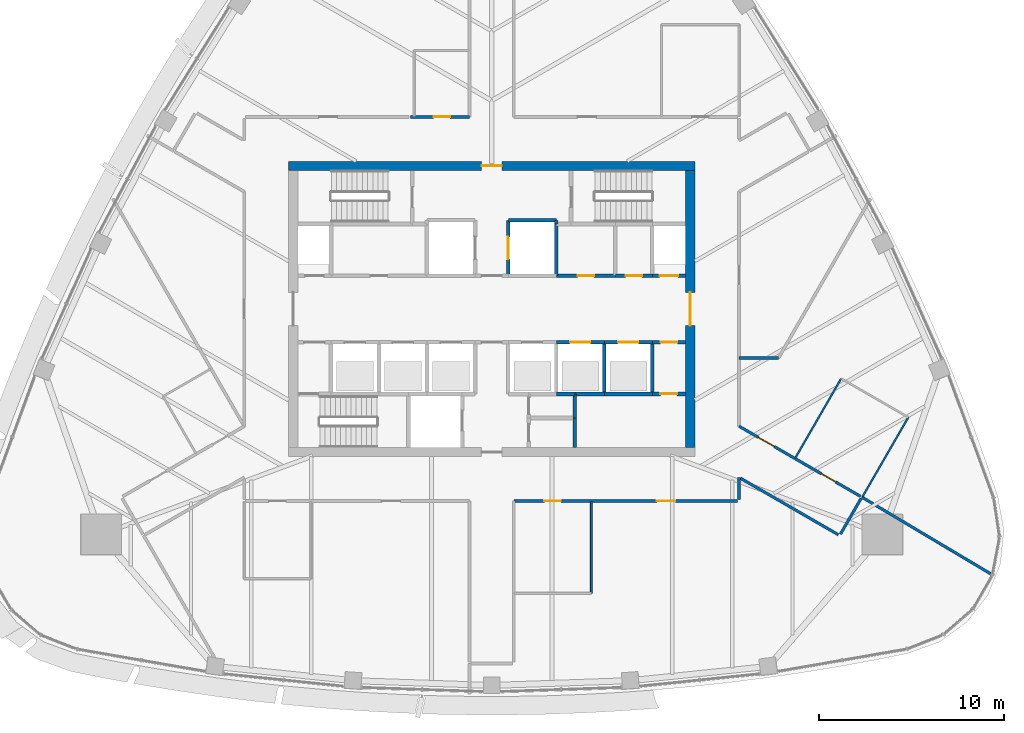
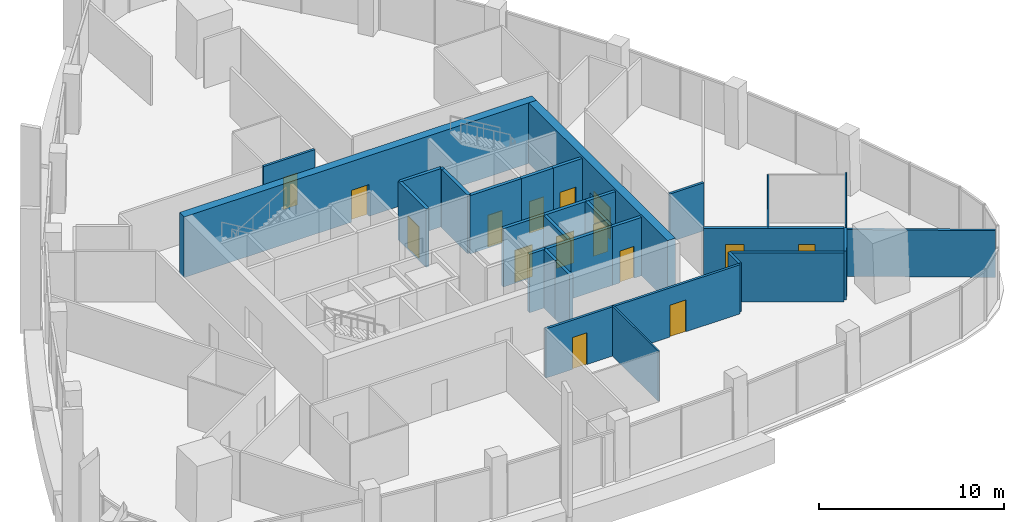
# One storey, part 10 of 16: 31 walls, 15 doors, 15 openings.
"""IFC4 building model written with IfcOpenShell, lengths in metres."""

import ifcopenshell
import ifcopenshell.guid

model = None  # the IFC model being written
_history = None  # IfcOwnerHistory: only IFC2X3 demands one
_inside = {}  # id of a spatial element -> (the spatial element, [elements in it])
_under = {}  # id of a project, library or spatial element -> (it, [spatial elements below it])
_declared = {}  # id of a project -> (the project, [libraries it declares])
_typed = {}  # id of a type object -> (the type object, [elements of that type])
_made_of = {}  # id of a material, layer set ... -> (it, [elements and type objects made of it])


def new_model(schema):
    """Start an empty IFC model of exactly this schema.

    Asked for "IFC4X3", IfcOpenShell would pick the latest addendum, in which some entities
    have other attributes; the version numbers below select the first issue.
    IFC2X3 requires an IfcOwnerHistory on every rooted entity: one is made here for all.
    """
    global model, _history
    if schema == "IFC4X3":
        model = ifcopenshell.file(schema_version=(4, 3, 0, 0))
    else:
        model = ifcopenshell.file(schema=schema)
    _inside.clear()
    _under.clear()
    _declared.clear()
    _typed.clear()
    _made_of.clear()
    _history = None
    if model.schema == "IFC2X3":
        org = make("IfcOrganization", Name="unknown")
        user = make(
            "IfcPersonAndOrganization",
            ThePerson=make("IfcPerson", FamilyName="unknown"),
            TheOrganization=org,
        )
        app = make(
            "IfcApplication",
            ApplicationDeveloper=org,
            Version="unknown",
            ApplicationFullName="unknown",
            ApplicationIdentifier="unknown",
        )
        _history = make(
            "IfcOwnerHistory",
            OwningUser=user,
            OwningApplication=app,
            ChangeAction="ADDED",
            CreationDate=0,
        )
    return model


def make(cls, **values):
    """One entity of the class cls with the attributes given. An attribute that is None is left unset."""
    return model.create_entity(
        cls, **{name: value for name, value in values.items() if value is not None}
    )


def rooted(cls, **values):
    """An entity with a GlobalId (a new one), such as an element, a storey or a relation."""
    return make(cls, GlobalId=ifcopenshell.guid.new(), OwnerHistory=_history, **values)


def si_unit(unit_type, name, prefix=None):
    """IfcSIUnit, for example si_unit("LENGTHUNIT", "METRE", prefix="MILLI")."""
    return make("IfcSIUnit", UnitType=unit_type, Prefix=prefix, Name=name)


def assignment(units):
    """IfcUnitAssignment: the units of a project."""
    return None if units is None else make("IfcUnitAssignment", Units=units)


def point(xyz):
    """IfcCartesianPoint."""
    return None if xyz is None else make("IfcCartesianPoint", Coordinates=xyz)


def direction(xyz):
    """IfcDirection."""
    return None if xyz is None else make("IfcDirection", DirectionRatios=xyz)


def frame(location, z_axis=None, x_axis=None):
    """IfcAxis2Placement3D, a coordinate frame: its origin and axes. An axis left out is left unset."""
    return make(
        "IfcAxis2Placement3D",
        Location=point(location),
        Axis=direction(z_axis),
        RefDirection=direction(x_axis),
    )


def frame_2d(location, x_axis=None):
    """IfcAxis2Placement2D, a coordinate frame in the plane: its origin and x axis."""
    return make(
        "IfcAxis2Placement2D", Location=point(location), RefDirection=direction(x_axis)
    )


def origin():
    """The frame at (0, 0, 0) with its axes left unset."""
    return frame((0.0, 0.0, 0.0))


def place(relative_to, where):
    """IfcLocalPlacement: puts the frame where relative to a parent placement (None: the world)."""
    return make(
        "IfcLocalPlacement", PlacementRelTo=relative_to, RelativePlacement=where
    )


def context(
    kind, dimensions, precision=None, world=None, true_north=None, identifier=None
):
    """IfcGeometricRepresentationContext, for example the 3D "Model" context."""
    return make(
        "IfcGeometricRepresentationContext",
        ContextIdentifier=identifier,
        ContextType=kind,
        CoordinateSpaceDimension=dimensions,
        Precision=precision,
        WorldCoordinateSystem=world,
        TrueNorth=true_north,
    )


def subcontext(parent, identifier, kind, view, scale=None):
    """IfcGeometricRepresentationSubContext, for example "Body" below "Model"."""
    return make(
        "IfcGeometricRepresentationSubContext",
        ContextIdentifier=identifier,
        ContextType=kind,
        ParentContext=parent,
        TargetScale=scale,
        TargetView=view,
    )


def project(units=None, contexts=None):
    """IfcProject with its units and contexts."""
    return rooted(
        "IfcProject",
        Name="project",
        RepresentationContexts=contexts,
        UnitsInContext=assignment(units),
    )


def spatial(cls, under=None, at=None, **own):
    """A site, building, storey or space (cls), placed at a placement, below another one or the project."""
    s = rooted(cls, ObjectPlacement=at, **own)
    if under is not None:
        _under.setdefault(under.id(), (under, []))[1].append(s)
    return s


def profile(cls, at=None, kind="AREA", **sizes):
    """A parametric profile (cls). Its sizes go by their IFC names, for example OverallWidth=200.0."""
    return make(cls, ProfileType=kind, Position=at, **sizes)


def rectangle(**sizes):
    """IfcRectangleProfileDef."""
    return profile("IfcRectangleProfileDef", **sizes)


def extrude(swept, where, along, depth):
    """IfcExtrudedAreaSolid: the profile swept, set in the frame where, extruded along a direction by depth."""
    return make(
        "IfcExtrudedAreaSolid",
        SweptArea=swept,
        Position=where,
        ExtrudedDirection=direction(along),
        Depth=depth,
    )


def shape(context_of_items, identifier, shape_type, items):
    """IfcShapeRepresentation: the items that make up one representation, for example the "Body"."""
    return make(
        "IfcShapeRepresentation",
        ContextOfItems=context_of_items,
        RepresentationIdentifier=identifier,
        RepresentationType=shape_type,
        Items=items,
    )


def material(Name=None, Category=None):
    """IfcMaterial."""
    return make("IfcMaterial", Name=Name, Category=Category)


def layer(
    of_material, thickness, ventilated=None, Name=None, Category=None, Priority=None
):
    """IfcMaterialLayer: one layer of a wall or slab, of a material (None: an air gap)."""
    return make(
        "IfcMaterialLayer",
        Material=of_material,
        LayerThickness=thickness,
        IsVentilated=ventilated,
        Name=Name,
        Category=Category,
        Priority=Priority,
    )


def layer_set(layers, Name=None):
    """IfcMaterialLayerSet."""
    return make("IfcMaterialLayerSet", MaterialLayers=layers, LayerSetName=Name)


def made_of(thing, what):
    """Note that an element or type object is made of a material, layer set ...; save() writes the relation."""
    if what is not None:
        _made_of.setdefault(what.id(), (what, []))[1].append(thing)
    return thing


def type_object(cls, material=None, **own):
    """A type object (cls), such as IfcWallType, which elements share."""
    return made_of(rooted(cls, **own), material)


def element(
    cls,
    number,
    at=None,
    inside=None,
    cuts=None,
    type_object=None,
    material=None,
    context=None,
    identifier="Body",
    shape_type=None,
    held_by="IfcProductDefinitionShape",
    body=None,
    shapes=None,
    **own,
):
    """One element of the class cls, such as IfcWall. Its Tag is "e" and its number.

    at: its placement. inside: the storey or other place that contains it. cuts: it is an
    opening in that element (IfcRelVoidsElement). A single representation is given by context,
    identifier, shape_type and body (its items); several are given by shapes. held_by: the class
    of the entity that holds the representations. save() writes the other relations.
    """
    e = rooted(cls, Tag="e%d" % number, ObjectPlacement=at, **own)
    if body is not None:
        shapes = [shape(context, identifier, shape_type, body)]
    if shapes is not None:
        e.Representation = make(held_by, Representations=shapes)
    if inside is not None:
        _inside.setdefault(inside.id(), (inside, []))[1].append(e)
    if cuts is not None:
        rooted(
            "IfcRelVoidsElement", RelatingBuildingElement=cuts, RelatedOpeningElement=e
        )
    if type_object is not None:
        _typed.setdefault(type_object.id(), (type_object, []))[1].append(e)
    return made_of(e, material)


def fill(opening, filler):
    """IfcRelFillsElement: the door or window that sits in an opening."""
    return rooted(
        "IfcRelFillsElement",
        RelatingOpeningElement=opening,
        RelatedBuildingElement=filler,
    )


def aggregate(whole, parts):
    """IfcRelAggregates: a whole, such as a stair, and the parts it consists of."""
    return rooted("IfcRelAggregates", RelatingObject=whole, RelatedObjects=parts)


def save(model, path):
    """Write the relations noted so far, then the file.

    IfcRelAggregates (storeys below a building ...), IfcRelContainedInSpatialStructure (elements
    in a storey), IfcRelDefinesByType, IfcRelAssociatesMaterial and IfcRelDeclares: one each for
    every whole, place, type object, material and project.
    """
    for whole, parts in _under.values():
        aggregate(whole, parts)
    for where, things in _inside.values():
        rooted(
            "IfcRelContainedInSpatialStructure",
            RelatedElements=things,
            RelatingStructure=where,
        )
    for kind, things in _typed.values():
        rooted("IfcRelDefinesByType", RelatedObjects=things, RelatingType=kind)
    for what, things in _made_of.values():
        rooted("IfcRelAssociatesMaterial", RelatedObjects=things, RelatingMaterial=what)
    for by, libraries in _declared.values():
        rooted("IfcRelDeclares", RelatingContext=by, RelatedDefinitions=libraries)
    model.write(path)


model = new_model("IFC4")

# Units and contexts
model_context = context("Model", 3, precision=1e-05, world=origin(), true_north=direction((0.0, 1.0)))
body_context = subcontext(model_context, "Body", "Model", "MODEL_VIEW")
ifc_project = project(units=[si_unit("LENGTHUNIT", "METRE"), si_unit("AREAUNIT", "SQUARE_METRE"), si_unit("VOLUMEUNIT", "CUBIC_METRE"), si_unit("PLANEANGLEUNIT", "RADIAN"), si_unit("MASSUNIT", "GRAM", prefix="KILO")], contexts=[model_context])

# Site, building, storey
site_placement = place(None, origin())
site = spatial("IfcSite", under=ifc_project, at=site_placement, CompositionType="ELEMENT")
building_placement = place(site_placement, origin())
building = spatial("IfcBuilding", under=site, at=building_placement, Name="Sierra Prisma Convention Tower", CompositionType="ELEMENT")
storey_placement = place(building_placement, frame((0.0, 0.0, 271.0)))
storey = spatial("IfcBuildingStorey", under=building, at=storey_placement, Name="L61", CompositionType="ELEMENT", Elevation=271.0)

# Walls
ifc_material_1 = material(Name="Gypsum board partition", Category="gypsum")
ifc_layer_1 = layer(ifc_material_1, 0.10009765625)
ifc_layer_set_1 = layer_set([ifc_layer_1], Name="Bathroom partition 100")
wall_type_1 = type_object("IfcWallType", Name="Bathroom partition 100", PredefinedType="PARTITIONING", material=ifc_layer_set_1)
wall_1_placement = place(storey_placement, frame((5.39990234375, -10.429931640625, 0.0), z_axis=(0.0, 0.0, 1.0), x_axis=(0.0, -1.0, 0.0)))
element("IfcWall", 1, at=wall_1_placement, inside=storey, type_object=wall_type_1, Name="Partition L61 bath 8", PredefinedType="PARTITIONING", context=body_context, shape_type="SweptSolid", body=[
    extrude(rectangle(XDim=4.969970703125, YDim=0.10009765625, at=frame_2d((2.48486328125, 0.0))), origin(), (0.0, 0.0, 1.0), 3.300048828125),
])
wall_2_placement = place(storey_placement, frame((16.44091796875, -8.07177734375, 0.0), z_axis=(0.0, 0.0, 1.0), x_axis=(0.499974753747, 0.866039979225, 0.0)))
element("IfcWall", 2, at=wall_2_placement, inside=storey, type_object=wall_type_1, Name="Partition L61 bath 13", PredefinedType="PARTITIONING", context=body_context, shape_type="SweptSolid", body=[
    extrude(rectangle(XDim=4.969970703125, YDim=0.10009765625, at=frame_2d((2.48486328125, 0.0))), origin(), (0.0, 0.0, 1.0), 3.1669921875),
])
wall_3_placement = place(storey_placement, frame((22.563232421875, -5.86767578125, 0.0), z_axis=(0.0, 0.0, 1.0), x_axis=(-0.500011595943, -0.86601870876, 0.0)))
element("IfcWall", 3, at=wall_3_placement, inside=storey, type_object=wall_type_1, Name="Partition L61 bath 15", PredefinedType="PARTITIONING", context=body_context, shape_type="SweptSolid", body=[
    extrude(rectangle(XDim=4.97021484375, YDim=0.10009765625, at=frame_2d((2.485107421875, 0.0))), origin(), (0.0, 0.0, 1.0), 3.300048828125),
])
ifc_material_2 = material(Name="Concrete C30/37", Category="concrete")
ifc_layer_2 = layer(ifc_material_2, 0.199951171875)
ifc_layer_set_2 = layer_set([ifc_layer_2], Name="Core wall RC 200 C30/37")
wall_type_2 = type_object("IfcWallType", Name="Core wall RC 200 C30/37", PredefinedType="SOLIDWALL", material=ifc_layer_set_2)
wall_4_placement = place(storey_placement, frame((3.5, 4.60009765625, 0.0), z_axis=(0.0, 0.0, 1.0), x_axis=(0.0, 1.0, 0.0)))
element("IfcWall", 4, at=wall_4_placement, inside=storey, type_object=wall_type_2, Name="Core wall L61 35", PredefinedType="SOLIDWALL", context=body_context, shape_type="SweptSolid", body=[
    extrude(rectangle(XDim=0.199951171875, YDim=0.199951171875, at=frame_2d((0.10009765625, 0.0))), origin(), (0.0, 0.0, 1.0), 3.85009765625),
])
wall_5_placement = place(storey_placement, frame((3.5, 4.800048828125, 0.0), z_axis=(0.0, 0.0, 1.0), x_axis=(-1.0, 0.0, 0.0)))
element("IfcWall", 5, at=wall_5_placement, inside=storey, type_object=wall_type_2, Name="Core wall L61 36", PredefinedType="SOLIDWALL", context=body_context, shape_type="SweptSolid", body=[
    extrude(rectangle(XDim=2.60009765625, YDim=0.199951171875, at=frame_2d((1.300048828125, 0.0))), origin(), (0.0, 0.0, 1.0), 3.85009765625),
])

# Wall, opening, door
wall_6_placement = place(storey_placement, frame((0.89990234375, 4.800048828125, 0.0), z_axis=(0.0, 0.0, 1.0), x_axis=(0.0, -1.0, 0.0)))
wall_6 = element("IfcWall", 6, at=wall_6_placement, inside=storey, type_object=wall_type_2, Name="Core wall L61 37", PredefinedType="SOLIDWALL", context=body_context, shape_type="SweptSolid", body=[
    extrude(rectangle(XDim=3.0, YDim=0.199951171875, at=frame_2d((1.5, 0.0))), origin(), (0.0, 0.0, 1.0), 3.85009765625),
])
opening_1_placement = place(wall_6_placement, frame((0.89990234375, 0.0, 0.0)))
opening_1 = element("IfcOpeningElement", 7, at=opening_1_placement, cuts=wall_6, Name="Opening L61-D008", PredefinedType="OPENING", context=body_context, shape_type="SweptSolid", body=[
    extrude(rectangle(XDim=1.199951171875, YDim=2.10009765625, at=frame_2d((0.60009765625, 1.050048828125))), frame((0.0, 0.10009765625, 0.0), z_axis=(0.0, -1.0, 0.0), x_axis=(1.0, 0.0, 0.0)), (0.0, 0.0, 1.0), 0.199951171875),
])
ifc_material_3 = material(Name="Steel fire door leaf", Category="steel")
door_type_1 = type_object("IfcDoorType", Name="Door 1200x2100 EI 90 sliding lift landing", OperationType="SLIDING_TO_LEFT", PredefinedType="DOOR", material=ifc_material_3)
door_1_placement = place(opening_1_placement, origin())
door_1 = element("IfcDoor", 8, at=door_1_placement, inside=storey, type_object=door_type_1, Name="Door L61 22", OperationType="SLIDING_TO_LEFT", OverallHeight=2.10009765625, OverallWidth=1.199951171875, PredefinedType="DOOR", context=body_context, shape_type="SweptSolid", body=[
    extrude(rectangle(XDim=1.199951171875, YDim=2.10009765625, at=frame_2d((0.60009765625, 1.050048828125))), frame((0.0, 0.02490234375, 0.0), z_axis=(0.0, -1.0, 0.0), x_axis=(1.0, 0.0, 0.0)), (0.0, 0.0, 1.0), 0.050048828125),
])
fill(opening_1, door_1)

# Wall
wall_7_placement = place(storey_placement, frame((4.5, -4.60009765625, 0.0), z_axis=(0.0, 0.0, 1.0), x_axis=(-1.0, 0.0, 0.0)))
element("IfcWall", 9, at=wall_7_placement, inside=storey, type_object=wall_type_2, Name="Core wall L61 42", PredefinedType="SOLIDWALL", context=body_context, shape_type="SweptSolid", body=[
    extrude(rectangle(XDim=1.0, YDim=0.199951171875, at=frame_2d((0.5, 0.0))), origin(), (0.0, 0.0, 1.0), 3.85009765625),
])

# Wall, opening, door
wall_8_placement = place(storey_placement, frame((3.5, -1.800048828125, 0.0), z_axis=(0.0, 0.0, 1.0), x_axis=(1.0, 0.0, 0.0)))
wall_8 = element("IfcWall", 10, at=wall_8_placement, inside=storey, type_object=wall_type_2, Name="Core wall L61 44", PredefinedType="SOLIDWALL", context=body_context, shape_type="SweptSolid", body=[
    extrude(rectangle(XDim=2.60009765625, YDim=0.199951171875, at=frame_2d((1.300048828125, 0.0))), origin(), (0.0, 0.0, 1.0), 3.85009765625),
])
opening_2_placement = place(wall_8_placement, frame((0.75, 0.0, 0.0)))
opening_2 = element("IfcOpeningElement", 11, at=opening_2_placement, cuts=wall_8, Name="Opening L61-D005", PredefinedType="OPENING", context=body_context, shape_type="SweptSolid", body=[
    extrude(rectangle(XDim=1.10009765625, YDim=2.10009765625, at=frame_2d((0.550048828125, 1.050048828125))), frame((0.0, 0.10009765625, 0.0), z_axis=(0.0, -1.0, 0.0), x_axis=(1.0, 0.0, 0.0)), (0.0, 0.0, 1.0), 0.199951171875),
])
ifc_material_4 = material(Name="Steel fire door leaf", Category="steel")
door_type_2 = type_object("IfcDoorType", Name="Door 1100x2100 EI 90 sliding lift landing", OperationType="SLIDING_TO_LEFT", PredefinedType="DOOR", material=ifc_material_4)
door_2_placement = place(opening_2_placement, origin())
door_2 = element("IfcDoor", 12, at=door_2_placement, inside=storey, type_object=door_type_2, Name="Door L61 19", OperationType="SLIDING_TO_LEFT", OverallHeight=2.10009765625, OverallWidth=1.10009765625, PredefinedType="DOOR", context=body_context, shape_type="SweptSolid", body=[
    extrude(rectangle(XDim=1.10009765625, YDim=2.10009765625, at=frame_2d((0.550048828125, 1.050048828125))), frame((0.0, 0.02490234375, 0.0), z_axis=(0.0, -1.0, 0.0), x_axis=(1.0, 0.0, 0.0)), (0.0, 0.0, 1.0), 0.050048828125),
])
fill(opening_2, door_2)

wall_9_placement = place(storey_placement, frame((3.5, 1.800048828125, 0.0), z_axis=(0.0, 0.0, 1.0), x_axis=(1.0, 0.0, 0.0)))
wall_9 = element("IfcWall", 13, at=wall_9_placement, inside=storey, type_object=wall_type_2, Name="Core wall L61 45", PredefinedType="SOLIDWALL", context=body_context, shape_type="SweptSolid", body=[
    extrude(rectangle(XDim=3.199951171875, YDim=0.199951171875, at=frame_2d((1.60009765625, 0.0))), origin(), (0.0, 0.0, 1.0), 3.85009765625),
])
opening_3_placement = place(wall_9_placement, frame((1.14990234375, 0.0, 0.0)))
opening_3 = element("IfcOpeningElement", 14, at=opening_3_placement, cuts=wall_9, Name="Opening L61-D018", PredefinedType="OPENING", context=body_context, shape_type="SweptSolid", body=[
    extrude(rectangle(XDim=0.89990234375, YDim=2.10009765625, at=frame_2d((0.449951171875, 1.050048828125))), frame((0.0, 0.10009765625, 0.0), z_axis=(0.0, -1.0, 0.0), x_axis=(1.0, 0.0, 0.0)), (0.0, 0.0, 1.0), 0.199951171875),
])
ifc_material_5 = material(Name="Steel fire door leaf", Category="steel")
door_type_3 = type_object("IfcDoorType", Name="Door 900x2100 FD30S", OperationType="SINGLE_SWING_LEFT", PredefinedType="DOOR", material=ifc_material_5)
door_3_placement = place(opening_3_placement, origin())
door_3 = element("IfcDoor", 15, at=door_3_placement, inside=storey, type_object=door_type_3, Name="Door L61 32", OperationType="SINGLE_SWING_LEFT", OverallHeight=2.10009765625, OverallWidth=0.89990234375, PredefinedType="DOOR", context=body_context, shape_type="SweptSolid", body=[
    extrude(rectangle(XDim=0.89990234375, YDim=2.10009765625, at=frame_2d((0.449951171875, 1.050048828125))), frame((0.0, 0.02490234375, 0.0), z_axis=(0.0, -1.0, 0.0), x_axis=(1.0, 0.0, 0.0)), (0.0, 0.0, 1.0), 0.050048828125),
])
fill(opening_3, door_3)

# Walls
wall_10_placement = place(storey_placement, frame((3.5, 4.60009765625, 0.0), z_axis=(0.0, 0.0, 1.0), x_axis=(0.0, -1.0, 0.0)))
element("IfcWall", 16, at=wall_10_placement, inside=storey, type_object=wall_type_2, Name="Core wall L61 46", PredefinedType="SOLIDWALL", context=body_context, shape_type="SweptSolid", body=[
    extrude(rectangle(XDim=2.800048828125, YDim=0.199951171875, at=frame_2d((1.39990234375, 0.0))), origin(), (0.0, 0.0, 1.0), 3.85009765625),
])
wall_11_placement = place(storey_placement, frame((4.5, -5.89990234375, 0.0), z_axis=(0.0, 0.0, 1.0), x_axis=(0.0, -1.0, 0.0)))
element("IfcWall", 17, at=wall_11_placement, inside=storey, type_object=wall_type_2, Name="Core wall L61 50", PredefinedType="SOLIDWALL", context=body_context, shape_type="SweptSolid", body=[
    extrude(rectangle(XDim=1.60009765625, YDim=0.199951171875, at=frame_2d((0.800048828125, 0.0))), origin(), (0.0, 0.0, 1.0), 3.85009765625),
])
wall_12_placement = place(storey_placement, frame((4.5, -4.60009765625, 0.0), z_axis=(0.0, 0.0, 1.0), x_axis=(0.0, -1.0, 0.0)))
element("IfcWall", 18, at=wall_12_placement, inside=storey, type_object=wall_type_2, Name="Core wall L61 51", PredefinedType="SOLIDWALL", context=body_context, shape_type="SweptSolid", body=[
    extrude(rectangle(XDim=1.2998046875, YDim=0.199951171875, at=frame_2d((0.64990234375, 0.0))), origin(), (0.0, 0.0, 1.0), 3.85009765625),
])
wall_13_placement = place(storey_placement, frame((6.10009765625, -4.60009765625, 0.0), z_axis=(0.0, 0.0, 1.0), x_axis=(-1.0, 0.0, 0.0)))
element("IfcWall", 19, at=wall_13_placement, inside=storey, type_object=wall_type_2, Name="Core wall L61 52", PredefinedType="SOLIDWALL", context=body_context, shape_type="SweptSolid", body=[
    extrude(rectangle(XDim=1.60009765625, YDim=0.199951171875, at=frame_2d((0.800048828125, 0.0))), origin(), (0.0, 0.0, 1.0), 3.85009765625),
])
wall_14_placement = place(storey_placement, frame((8.699951171875, -4.60009765625, 0.0), z_axis=(0.0, 0.0, 1.0), x_axis=(-1.0, 0.0, 0.0)))
element("IfcWall", 20, at=wall_14_placement, inside=storey, type_object=wall_type_2, Name="Core wall L61 53", PredefinedType="SOLIDWALL", context=body_context, shape_type="SweptSolid", body=[
    extrude(rectangle(XDim=2.599853515625, YDim=0.199951171875, at=frame_2d((1.2998046875, 0.0))), origin(), (0.0, 0.0, 1.0), 3.85009765625),
])
wall_15_placement = place(storey_placement, frame((6.10009765625, -4.60009765625, 0.0), z_axis=(0.0, 0.0, 1.0), x_axis=(0.0, 1.0, 0.0)))
element("IfcWall", 21, at=wall_15_placement, inside=storey, type_object=wall_type_2, Name="Core wall L61 54", PredefinedType="SOLIDWALL", context=body_context, shape_type="SweptSolid", body=[
    extrude(rectangle(XDim=2.800048828125, YDim=0.199951171875, at=frame_2d((1.39990234375, 0.0))), origin(), (0.0, 0.0, 1.0), 3.85009765625),
])

# Wall, opening, door
wall_16_placement = place(storey_placement, frame((6.10009765625, -1.800048828125, 0.0), z_axis=(0.0, 0.0, 1.0), x_axis=(1.0, 0.0, 0.0)))
wall_16 = element("IfcWall", 22, at=wall_16_placement, inside=storey, type_object=wall_type_2, Name="Core wall L61 55", PredefinedType="SOLIDWALL", context=body_context, shape_type="SweptSolid", body=[
    extrude(rectangle(XDim=2.599853515625, YDim=0.199951171875, at=frame_2d((1.2998046875, 0.0))), origin(), (0.0, 0.0, 1.0), 3.85009765625),
])
opening_4_placement = place(wall_16_placement, frame((0.75, 0.0, 0.0)))
opening_4 = element("IfcOpeningElement", 23, at=opening_4_placement, cuts=wall_16, Name="Opening L61-D006", PredefinedType="OPENING", context=body_context, shape_type="SweptSolid", body=[
    extrude(rectangle(XDim=1.10009765625, YDim=2.10009765625, at=frame_2d((0.550048828125, 1.050048828125))), frame((0.0, 0.10009765625, 0.0), z_axis=(0.0, -1.0, 0.0), x_axis=(1.0, 0.0, 0.0)), (0.0, 0.0, 1.0), 0.199951171875),
])
door_4_placement = place(opening_4_placement, origin())
door_4 = element("IfcDoor", 24, at=door_4_placement, inside=storey, type_object=door_type_2, Name="Door L61 20", OperationType="SLIDING_TO_RIGHT", OverallHeight=2.10009765625, OverallWidth=1.10009765625, PredefinedType="DOOR", context=body_context, shape_type="SweptSolid", body=[
    extrude(rectangle(XDim=1.10009765625, YDim=2.10009765625, at=frame_2d((0.550048828125, 1.050048828125))), frame((0.0, 0.02490234375, 0.0), z_axis=(0.0, -1.0, 0.0), x_axis=(1.0, 0.0, 0.0)), (0.0, 0.0, 1.0), 0.050048828125),
])
fill(opening_4, door_4)

wall_17_placement = place(storey_placement, frame((6.699951171875, 1.800048828125, 0.0), z_axis=(0.0, 0.0, 1.0), x_axis=(1.0, 0.0, 0.0)))
wall_17 = element("IfcWall", 25, at=wall_17_placement, inside=storey, type_object=wall_type_2, Name="Core wall L61 56", PredefinedType="SOLIDWALL", context=body_context, shape_type="SweptSolid", body=[
    extrude(rectangle(XDim=2.0, YDim=0.199951171875, at=frame_2d((1.0, 0.0))), origin(), (0.0, 0.0, 1.0), 3.85009765625),
])
opening_5_placement = place(wall_17_placement, frame((0.550048828125, 0.0, 0.0)))
opening_5 = element("IfcOpeningElement", 26, at=opening_5_placement, cuts=wall_17, Name="Opening L61-D019", PredefinedType="OPENING", context=body_context, shape_type="SweptSolid", body=[
    extrude(rectangle(XDim=0.89990234375, YDim=2.10009765625, at=frame_2d((0.449951171875, 1.050048828125))), frame((0.0, 0.10009765625, 0.0), z_axis=(0.0, -1.0, 0.0), x_axis=(1.0, 0.0, 0.0)), (0.0, 0.0, 1.0), 0.199951171875),
])
door_5_placement = place(opening_5_placement, origin())
door_5 = element("IfcDoor", 27, at=door_5_placement, inside=storey, type_object=door_type_3, Name="Door L61 33", OperationType="SINGLE_SWING_RIGHT", OverallHeight=2.10009765625, OverallWidth=0.89990234375, PredefinedType="DOOR", context=body_context, shape_type="SweptSolid", body=[
    extrude(rectangle(XDim=0.89990234375, YDim=2.10009765625, at=frame_2d((0.449951171875, 1.050048828125))), frame((0.0, 0.02490234375, 0.0), z_axis=(0.0, -1.0, 0.0), x_axis=(1.0, 0.0, 0.0)), (0.0, 0.0, 1.0), 0.050048828125),
])
fill(opening_5, door_5)

wall_18_placement = place(storey_placement, frame((10.5, -4.60009765625, 0.0), z_axis=(0.0, 0.0, 1.0), x_axis=(-1.0, 0.0, 0.0)))
wall_18 = element("IfcWall", 28, at=wall_18_placement, inside=storey, type_object=wall_type_2, Name="Core wall L61 59", PredefinedType="SOLIDWALL", context=body_context, shape_type="SweptSolid", body=[
    extrude(rectangle(XDim=1.800048828125, YDim=0.199951171875, at=frame_2d((0.89990234375, 0.0))), origin(), (0.0, 0.0, 1.0), 3.85009765625),
])
opening_6_placement = place(wall_18_placement, frame((0.4599609375, 0.0, 0.0)))
opening_6 = element("IfcOpeningElement", 29, at=opening_6_placement, cuts=wall_18, Name="Opening L61-D021", PredefinedType="OPENING", context=body_context, shape_type="SweptSolid", body=[
    extrude(rectangle(XDim=0.89990234375, YDim=2.10009765625, at=frame_2d((0.449951171875, 1.050048828125))), frame((0.0, 0.10009765625, 0.0), z_axis=(0.0, -1.0, 0.0), x_axis=(1.0, 0.0, 0.0)), (0.0, 0.0, 1.0), 0.199951171875),
])
door_6_placement = place(opening_6_placement, origin())
door_6 = element("IfcDoor", 30, at=door_6_placement, inside=storey, type_object=door_type_3, Name="Door L61 35", OperationType="SINGLE_SWING_RIGHT", OverallHeight=2.10009765625, OverallWidth=0.89990234375, PredefinedType="DOOR", context=body_context, shape_type="SweptSolid", body=[
    extrude(rectangle(XDim=0.89990234375, YDim=2.10009765625, at=frame_2d((0.449951171875, 1.050048828125))), frame((0.0, 0.02490234375, 0.0), z_axis=(0.0, -1.0, 0.0), x_axis=(1.0, 0.0, 0.0)), (0.0, 0.0, 1.0), 0.050048828125),
])
fill(opening_6, door_6)

# Wall
wall_19_placement = place(storey_placement, frame((8.699951171875, -1.800048828125, 0.0), z_axis=(0.0, 0.0, 1.0), x_axis=(0.0, -1.0, 0.0)))
element("IfcWall", 31, at=wall_19_placement, inside=storey, type_object=wall_type_2, Name="Core wall L61 60", PredefinedType="SOLIDWALL", context=body_context, shape_type="SweptSolid", body=[
    extrude(rectangle(XDim=2.800048828125, YDim=0.199951171875, at=frame_2d((1.39990234375, 0.0))), origin(), (0.0, 0.0, 1.0), 3.85009765625),
])

# Wall, opening, door
wall_20_placement = place(storey_placement, frame((8.699951171875, -1.800048828125, 0.0), z_axis=(0.0, 0.0, 1.0), x_axis=(1.0, 0.0, 0.0)))
wall_20 = element("IfcWall", 32, at=wall_20_placement, inside=storey, type_object=wall_type_2, Name="Core wall L61 61", PredefinedType="SOLIDWALL", context=body_context, shape_type="SweptSolid", body=[
    extrude(rectangle(XDim=1.800048828125, YDim=0.199951171875, at=frame_2d((0.89990234375, 0.0))), origin(), (0.0, 0.0, 1.0), 3.85009765625),
])
opening_7_placement = place(wall_20_placement, frame((0.449951171875, 0.0, 0.0)))
opening_7 = element("IfcOpeningElement", 33, at=opening_7_placement, cuts=wall_20, Name="Opening L61-D022", PredefinedType="OPENING", context=body_context, shape_type="SweptSolid", body=[
    extrude(rectangle(XDim=0.89990234375, YDim=2.10009765625, at=frame_2d((0.449951171875, 1.050048828125))), frame((0.0, 0.10009765625, 0.0), z_axis=(0.0, -1.0, 0.0), x_axis=(1.0, 0.0, 0.0)), (0.0, 0.0, 1.0), 0.199951171875),
])
door_7_placement = place(opening_7_placement, origin())
door_7 = element("IfcDoor", 34, at=door_7_placement, inside=storey, type_object=door_type_3, Name="Door L61 36", OperationType="SINGLE_SWING_RIGHT", OverallHeight=2.10009765625, OverallWidth=0.89990234375, PredefinedType="DOOR", context=body_context, shape_type="SweptSolid", body=[
    extrude(rectangle(XDim=0.89990234375, YDim=2.10009765625, at=frame_2d((0.449951171875, 1.050048828125))), frame((0.0, 0.02490234375, 0.0), z_axis=(0.0, -1.0, 0.0), x_axis=(1.0, 0.0, 0.0)), (0.0, 0.0, 1.0), 0.050048828125),
])
fill(opening_7, door_7)

wall_21_placement = place(storey_placement, frame((10.5, 1.800048828125, 0.0), z_axis=(0.0, 0.0, 1.0), x_axis=(-1.0, 0.0, 0.0)))
wall_21 = element("IfcWall", 35, at=wall_21_placement, inside=storey, type_object=wall_type_2, Name="Core wall L61 62", PredefinedType="SOLIDWALL", context=body_context, shape_type="SweptSolid", body=[
    extrude(rectangle(XDim=1.800048828125, YDim=0.199951171875, at=frame_2d((0.89990234375, 0.0))), origin(), (0.0, 0.0, 1.0), 3.85009765625),
])
opening_8_placement = place(wall_21_placement, frame((0.39990234375, 0.0, 0.0)))
opening_8 = element("IfcOpeningElement", 36, at=opening_8_placement, cuts=wall_21, Name="Opening L61-D014", PredefinedType="OPENING", context=body_context, shape_type="SweptSolid", body=[
    extrude(rectangle(XDim=1.0, YDim=2.10009765625, at=frame_2d((0.5, 1.050048828125))), frame((0.0, 0.10009765625, 0.0), z_axis=(0.0, -1.0, 0.0), x_axis=(1.0, 0.0, 0.0)), (0.0, 0.0, 1.0), 0.199951171875),
])
ifc_material_6 = material(Name="Steel fire door leaf", Category="steel")
door_type_4 = type_object("IfcDoorType", Name="Door 1000x2100 FD60S", OperationType="SINGLE_SWING_LEFT", PredefinedType="DOOR", material=ifc_material_6)
door_8_placement = place(opening_8_placement, origin())
door_8 = element("IfcDoor", 37, at=door_8_placement, inside=storey, type_object=door_type_4, Name="Door L61 28", OperationType="SINGLE_SWING_LEFT", OverallHeight=2.10009765625, OverallWidth=1.0, PredefinedType="DOOR", context=body_context, shape_type="SweptSolid", body=[
    extrude(rectangle(XDim=1.0, YDim=2.10009765625, at=frame_2d((0.5, 1.050048828125))), frame((0.0, 0.02490234375, 0.0), z_axis=(0.0, -1.0, 0.0), x_axis=(1.0, 0.0, 0.0)), (0.0, 0.0, 1.0), 0.050048828125),
])
fill(opening_8, door_8)

ifc_material_7 = material(Name="Concrete C50/60", Category="concrete")
ifc_layer_3 = layer(ifc_material_7, 0.5)
ifc_layer_set_3 = layer_set([ifc_layer_3], Name="Core wall RC 500 C50/60")
wall_type_3 = type_object("IfcWallType", Name="Core wall RC 500 C50/60", PredefinedType="SHEAR", material=ifc_layer_set_3)
wall_22_placement = place(storey_placement, frame((-11.0, 7.75, 0.0), z_axis=(0.0, 0.0, 1.0), x_axis=(1.0, 0.0, 0.0)))
wall_22 = element("IfcWall", 38, at=wall_22_placement, inside=storey, type_object=wall_type_3, Name="Core wall N L61", PredefinedType="SHEAR", context=body_context, shape_type="SweptSolid", body=[
    extrude(rectangle(XDim=22.0, YDim=0.5, at=frame_2d((11.0, 0.0))), origin(), (0.0, 0.0, 1.0), 4.0),
])
opening_9_placement = place(wall_22_placement, frame((10.449951171875, 0.0, 0.0)))
opening_9 = element("IfcOpeningElement", 39, at=opening_9_placement, cuts=wall_22, Name="Opening L61-D040", PredefinedType="OPENING", context=body_context, shape_type="SweptSolid", body=[
    extrude(rectangle(XDim=1.10009765625, YDim=2.10009765625, at=frame_2d((0.550048828125, 1.050048828125))), frame((0.0, 0.25, 0.0), z_axis=(0.0, -1.0, 0.0), x_axis=(1.0, 0.0, 0.0)), (0.0, 0.0, 1.0), 0.5),
])
ifc_material_8 = material(Name="Steel fire door leaf", Category="steel")
door_type_5 = type_object("IfcDoorType", Name="Door 1100x2100 FD60S", OperationType="SINGLE_SWING_LEFT", PredefinedType="DOOR", material=ifc_material_8)
door_9_placement = place(opening_9_placement, origin())
door_9 = element("IfcDoor", 40, at=door_9_placement, inside=storey, type_object=door_type_5, Name="Door L61 41", OperationType="SINGLE_SWING_LEFT", OverallHeight=2.10009765625, OverallWidth=1.10009765625, PredefinedType="DOOR", context=body_context, shape_type="SweptSolid", body=[
    extrude(rectangle(XDim=1.10009765625, YDim=2.10009765625, at=frame_2d((0.550048828125, 1.050048828125))), frame((0.0, 0.02490234375, 0.0), z_axis=(0.0, -1.0, 0.0), x_axis=(1.0, 0.0, 0.0)), (0.0, 0.0, 1.0), 0.050048828125),
])
fill(opening_9, door_9)

wall_23_placement = place(storey_placement, frame((10.75, -7.5, 0.0), z_axis=(0.0, 0.0, 1.0), x_axis=(0.0, 1.0, 0.0)))
wall_23 = element("IfcWall", 41, at=wall_23_placement, inside=storey, type_object=wall_type_3, Name="Core wall E L61", PredefinedType="SHEAR", context=body_context, shape_type="SweptSolid", body=[
    extrude(rectangle(XDim=15.0, YDim=0.5, at=frame_2d((7.5, 0.0))), origin(), (0.0, 0.0, 1.0), 4.0),
])
opening_10_placement = place(wall_23_placement, frame((6.60009765625, 0.0, 0.0)))
opening_10 = element("IfcOpeningElement", 42, at=opening_10_placement, cuts=wall_23, Name="Opening L61-D039", PredefinedType="OPENING", context=body_context, shape_type="SweptSolid", body=[
    extrude(rectangle(XDim=1.800048828125, YDim=2.10009765625, at=frame_2d((0.89990234375, 1.050048828125))), frame((0.0, 0.25, 0.0), z_axis=(0.0, -1.0, 0.0), x_axis=(1.0, 0.0, 0.0)), (0.0, 0.0, 1.0), 0.5),
])
ifc_material_9 = material(Name="Steel fire door leaf", Category="steel")
door_type_6 = type_object("IfcDoorType", Name="Door 1800x2100 FD60S", OperationType="DOUBLE_DOOR_SINGLE_SWING", PredefinedType="DOOR", material=ifc_material_9)
door_10_placement = place(opening_10_placement, origin())
door_10 = element("IfcDoor", 43, at=door_10_placement, inside=storey, type_object=door_type_6, Name="Door L61 40", OperationType="DOUBLE_DOOR_SINGLE_SWING", OverallHeight=2.10009765625, OverallWidth=1.800048828125, PredefinedType="DOOR", context=body_context, shape_type="SweptSolid", body=[
    extrude(rectangle(XDim=1.800048828125, YDim=2.10009765625, at=frame_2d((0.89990234375, 1.050048828125))), frame((0.0, 0.02490234375, 0.0), z_axis=(0.0, -1.0, 0.0), x_axis=(1.0, 0.0, 0.0)), (0.0, 0.0, 1.0), 0.050048828125),
])
fill(opening_10, door_10)

ifc_material_10 = material(Name="Gypsum board partition", Category="gypsum")
ifc_layer_4 = layer(ifc_material_10, 0.14990234375)
ifc_layer_set_4 = layer_set([ifc_layer_4], Name="Corridor wall 150 gypsum EI 60")
wall_type_4 = type_object("IfcWallType", Name="Corridor wall 150 gypsum EI 60", PredefinedType="PARTITIONING", material=ifc_layer_set_4)
wall_24_placement = place(storey_placement, frame((-1.199951171875, 10.39990234375, 0.0), z_axis=(0.0, 0.0, 1.0), x_axis=(-1.0, 0.0, 0.0)))
wall_24 = element("IfcWall", 44, at=wall_24_placement, inside=storey, type_object=wall_type_4, Name="Partition L61 corr 14", PredefinedType="PARTITIONING", context=body_context, shape_type="SweptSolid", body=[
    extrude(rectangle(XDim=3.199951171875, YDim=0.14990234375, at=frame_2d((1.60009765625, 0.0))), origin(), (0.0, 0.0, 1.0), 3.300048828125),
])
opening_11_placement = place(wall_24_placement, frame((1.050048828125, 0.0, 0.0)))
opening_11 = element("IfcOpeningElement", 45, at=opening_11_placement, cuts=wall_24, Name="Opening L61-D028", PredefinedType="OPENING", context=body_context, shape_type="SweptSolid", body=[
    extrude(rectangle(XDim=0.89990234375, YDim=2.10009765625, at=frame_2d((0.449951171875, 1.050048828125))), frame((0.0, 0.074951171875, 0.0), z_axis=(0.0, -1.0, 0.0), x_axis=(1.0, 0.0, 0.0)), (0.0, 0.0, 1.0), 0.14990234375),
])
door_11_placement = place(opening_11_placement, origin())
door_11 = element("IfcDoor", 46, at=door_11_placement, inside=storey, type_object=door_type_3, Name="Door L61 4", OperationType="SINGLE_SWING_RIGHT", OverallHeight=2.10009765625, OverallWidth=0.89990234375, PredefinedType="DOOR", context=body_context, shape_type="SweptSolid", body=[
    extrude(rectangle(XDim=0.89990234375, YDim=2.10009765625, at=frame_2d((0.449951171875, 1.050048828125))), frame((0.0, 0.02490234375, 0.0), z_axis=(0.0, -1.0, 0.0), x_axis=(1.0, 0.0, 0.0)), (0.0, 0.0, 1.0), 0.050048828125),
])
fill(opening_11, door_11)

# Wall, openings, doors
wall_25_placement = place(storey_placement, frame((1.199951171875, -10.39990234375, 0.0), z_axis=(0.0, 0.0, 1.0), x_axis=(1.0, 0.0, 0.0)))
wall_25 = element("IfcWall", 47, at=wall_25_placement, inside=storey, type_object=wall_type_4, Name="Partition L61 corr 18", PredefinedType="PARTITIONING", context=body_context, shape_type="SweptSolid", body=[
    extrude(rectangle(XDim=12.1201171875, YDim=0.14990234375, at=frame_2d((6.06005859375, 0.0))), origin(), (0.0, 0.0, 1.0), 3.242919921875),
])
opening_12_placement = place(wall_25_placement, frame((1.64990234375, 0.0, 0.0)))
opening_12 = element("IfcOpeningElement", 48, at=opening_12_placement, cuts=wall_25, Name="Opening L61-D035", PredefinedType="OPENING", context=body_context, shape_type="SweptSolid", body=[
    extrude(rectangle(XDim=0.89990234375, YDim=2.10009765625, at=frame_2d((0.449951171875, 1.050048828125))), frame((0.0, 0.074951171875, 0.0), z_axis=(0.0, -1.0, 0.0), x_axis=(1.0, 0.0, 0.0)), (0.0, 0.0, 1.0), 0.14990234375),
])
opening_13_placement = place(wall_25_placement, frame((7.75, 0.0, 0.0)))
opening_13 = element("IfcOpeningElement", 49, at=opening_13_placement, cuts=wall_25, Name="Opening L61-D036", PredefinedType="OPENING", context=body_context, shape_type="SweptSolid", body=[
    extrude(rectangle(XDim=1.0, YDim=2.10009765625, at=frame_2d((0.5, 1.050048828125))), frame((0.0, 0.074951171875, 0.0), z_axis=(0.0, -1.0, 0.0), x_axis=(1.0, 0.0, 0.0)), (0.0, 0.0, 1.0), 0.14990234375),
])
ifc_material_11 = material(Name="Steel fire door leaf", Category="steel")
door_type_7 = type_object("IfcDoorType", Name="Door 1000x2100 FD30S", OperationType="SINGLE_SWING_LEFT", PredefinedType="DOOR", material=ifc_material_11)
door_12_placement = place(opening_13_placement, origin())
door_12 = element("IfcDoor", 50, at=door_12_placement, inside=storey, type_object=door_type_7, Name="Door L61 12", OperationType="SINGLE_SWING_RIGHT", OverallHeight=2.10009765625, OverallWidth=1.0, PredefinedType="DOOR", context=body_context, shape_type="SweptSolid", body=[
    extrude(rectangle(XDim=1.0, YDim=2.10009765625, at=frame_2d((0.5, 1.050048828125))), frame((0.0, 0.02490234375, 0.0), z_axis=(0.0, -1.0, 0.0), x_axis=(1.0, 0.0, 0.0)), (0.0, 0.0, 1.0), 0.050048828125),
])
fill(opening_13, door_12)
door_13_placement = place(opening_12_placement, origin())
door_13 = element("IfcDoor", 51, at=door_13_placement, inside=storey, type_object=door_type_3, Name="Door L61 11", OperationType="SINGLE_SWING_RIGHT", OverallHeight=2.10009765625, OverallWidth=0.89990234375, PredefinedType="DOOR", context=body_context, shape_type="SweptSolid", body=[
    extrude(rectangle(XDim=0.89990234375, YDim=2.10009765625, at=frame_2d((0.449951171875, 1.050048828125))), frame((0.0, 0.02490234375, 0.0), z_axis=(0.0, -1.0, 0.0), x_axis=(1.0, 0.0, 0.0)), (0.0, 0.0, 1.0), 0.050048828125),
])
fill(opening_12, door_13)

# Walls
wall_26_placement = place(storey_placement, frame((13.39990234375, -10.320068359375, 0.0), z_axis=(0.0, 0.0, 1.0), x_axis=(0.0, 1.0, 0.0)))
element("IfcWall", 52, at=wall_26_placement, inside=storey, type_object=wall_type_4, Name="Partition L61 corr 21", PredefinedType="PARTITIONING", context=body_context, shape_type="SweptSolid", body=[
    extrude(rectangle(XDim=1.197998046875, YDim=0.14990234375, at=frame_2d((0.59912109375, 0.0))), origin(), (0.0, 0.0, 1.0), 3.23291015625),
])
wall_27_placement = place(storey_placement, frame((13.479248046875, -9.16796875, 0.0), z_axis=(0.0, 0.0, 1.0), x_axis=(0.866031386012, -0.499989638334, 0.0)))
element("IfcWall", 53, at=wall_27_placement, inside=storey, type_object=wall_type_4, Name="Partition L61 corr 22", PredefinedType="PARTITIONING", context=body_context, shape_type="SweptSolid", body=[
    extrude(rectangle(XDim=6.116943359375, YDim=0.14990234375, at=frame_2d((3.05859375, 0.0))), origin(), (0.0, 0.0, 1.0), 3.23291015625),
])

# Wall, openings, doors
wall_28_placement = place(storey_placement, frame((19.9765625, -10.147705078125, 0.0), z_axis=(0.0, 0.0, 1.0), x_axis=(-0.866034613097, 0.499984048663, 0.0)))
wall_28 = element("IfcWall", 54, at=wall_28_placement, inside=storey, type_object=wall_type_4, Name="Partition L61 corr 26", PredefinedType="PARTITIONING", context=body_context, shape_type="SweptSolid", body=[
    extrude(rectangle(XDim=7.593994140625, YDim=0.14990234375, at=frame_2d((3.796875, 0.0))), origin(), (0.0, 0.0, 1.0), 3.1669921875),
])
opening_14_placement = place(wall_28_placement, frame((1.550048828125, 0.0, 0.0)))
opening_14 = element("IfcOpeningElement", 55, at=opening_14_placement, cuts=wall_28, Name="Opening L61-D037", PredefinedType="OPENING", context=body_context, shape_type="SweptSolid", body=[
    extrude(rectangle(XDim=0.89990234375, YDim=2.10009765625, at=frame_2d((0.449951171875, 1.050048828125))), frame((0.0, 0.074951171875, 0.0), z_axis=(0.0, -1.0, 0.0), x_axis=(1.0, 0.0, 0.0)), (0.0, 0.0, 1.0), 0.14990234375),
])
opening_15_placement = place(wall_28_placement, frame((5.39697265625, 0.0, 0.0)))
opening_15 = element("IfcOpeningElement", 56, at=opening_15_placement, cuts=wall_28, Name="Opening L61-D038", PredefinedType="OPENING", context=body_context, shape_type="SweptSolid", body=[
    extrude(rectangle(XDim=1.0, YDim=2.10009765625, at=frame_2d((0.5, 1.050048828125))), frame((0.0, 0.074951171875, 0.0), z_axis=(0.0, -1.0, 0.0), x_axis=(1.0, 0.0, 0.0)), (0.0, 0.0, 1.0), 0.14990234375),
])
door_14_placement = place(opening_15_placement, origin())
door_14 = element("IfcDoor", 57, at=door_14_placement, inside=storey, type_object=door_type_7, Name="Door L61 14", OperationType="SINGLE_SWING_LEFT", OverallHeight=2.10009765625, OverallWidth=1.0, PredefinedType="DOOR", context=body_context, shape_type="SweptSolid", body=[
    extrude(rectangle(XDim=1.0, YDim=2.10009765625, at=frame_2d((0.5, 1.050048828125))), frame((0.0, 0.02490234375, 0.0), z_axis=(0.0, -1.0, 0.0), x_axis=(1.0, 0.0, 0.0)), (0.0, 0.0, 1.0), 0.050048828125),
])
fill(opening_15, door_14)
door_15_placement = place(opening_14_placement, origin())
door_15 = element("IfcDoor", 58, at=door_15_placement, inside=storey, type_object=door_type_3, Name="Door L61 13", OperationType="SINGLE_SWING_RIGHT", OverallHeight=2.10009765625, OverallWidth=0.89990234375, PredefinedType="DOOR", context=body_context, shape_type="SweptSolid", body=[
    extrude(rectangle(XDim=0.89990234375, YDim=2.10009765625, at=frame_2d((0.449951171875, 1.050048828125))), frame((0.0, 0.02490234375, 0.0), z_axis=(0.0, -1.0, 0.0), x_axis=(1.0, 0.0, 0.0)), (0.0, 0.0, 1.0), 0.050048828125),
])
fill(opening_14, door_15)

# Walls
wall_29_placement = place(storey_placement, frame((18.8857421875, -12.197021484375, 0.0), z_axis=(0.0, 0.0, 1.0), x_axis=(0.500030632641, 0.866007717299, 0.0)))
element("IfcWall", 59, at=wall_29_placement, inside=storey, type_object=wall_type_4, Name="Partition L61 corr 29", PredefinedType="PARTITIONING", context=body_context, shape_type="SweptSolid", body=[
    extrude(rectangle(XDim=2.239990234375, YDim=0.14990234375, at=frame_2d((1.1201171875, 0.0))), origin(), (0.0, 0.0, 1.0), 3.23291015625),
])
ifc_material_12 = material(Name="Gypsum board partition", Category="gypsum")
ifc_layer_5 = layer(ifc_material_12, 0.14990234375)
ifc_layer_set_5 = layer_set([ifc_layer_5], Name="Party wall 150 gypsum")
wall_type_5 = type_object("IfcWallType", Name="Party wall 150 gypsum", PredefinedType="PARTITIONING", material=ifc_layer_set_5)
wall_30_placement = place(storey_placement, frame((15.537109375, -2.649169921875, 0.0), z_axis=(0.0, 0.0, 1.0), x_axis=(-1.0, 0.0, 0.0)))
element("IfcWall", 60, at=wall_30_placement, inside=storey, type_object=wall_type_5, Name="Partition L61 party 7", PredefinedType="PARTITIONING", context=body_context, shape_type="SweptSolid", body=[
    extrude(rectangle(XDim=2.13720703125, YDim=0.14990234375, at=frame_2d((1.068603515625, 0.0))), origin(), (0.0, 0.0, 1.0), 3.1669921875),
])
wall_31_placement = place(storey_placement, frame((20.0458984375, -10.187744140625, 0.0), z_axis=(0.0, 0.0, 1.0), x_axis=(0.859283446729, -0.511499714739, 0.0)))
element("IfcWall", 61, at=wall_31_placement, inside=storey, type_object=wall_type_5, Name="Partition L61 party 9", PredefinedType="PARTITIONING", context=body_context, shape_type="SweptSolid", body=[
    extrude(rectangle(XDim=8.121337890625, YDim=0.14990234375, at=frame_2d((4.060546875, 0.0))), origin(), (0.0, 0.0, 1.0), 3.083984375),
])

save(model, "model.ifc")
